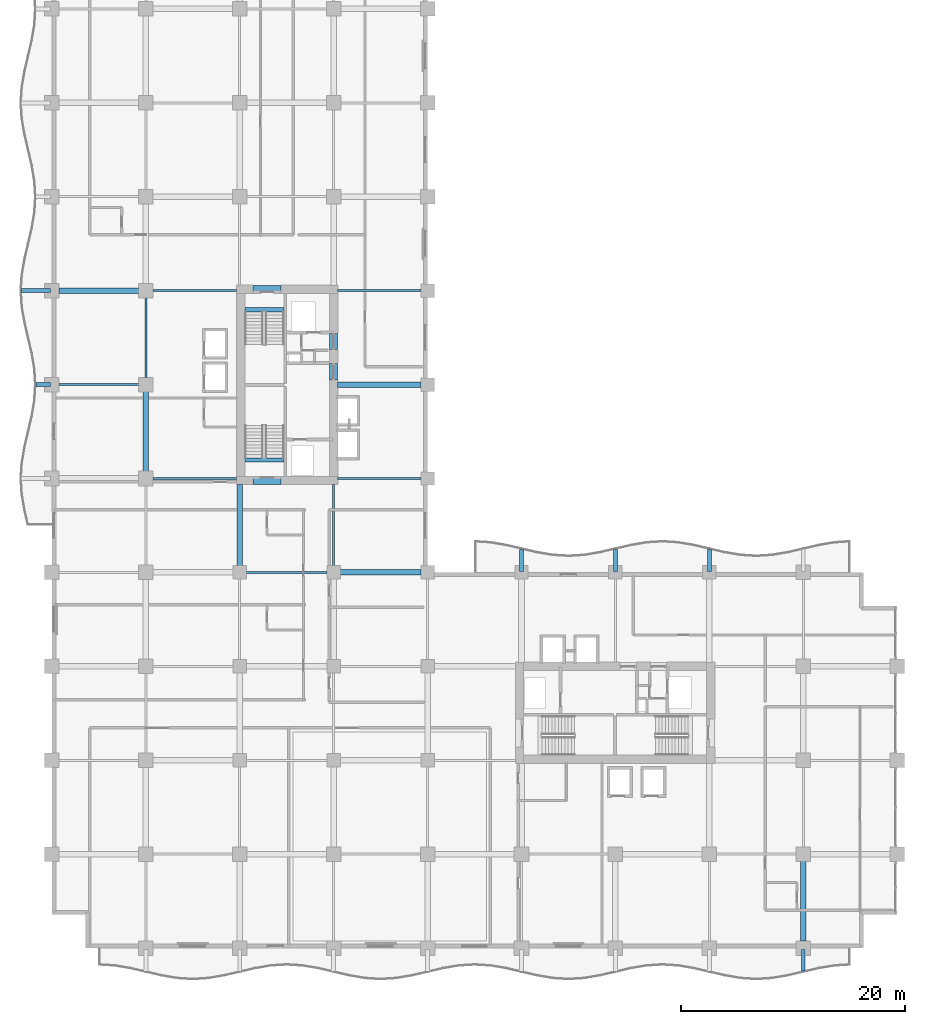
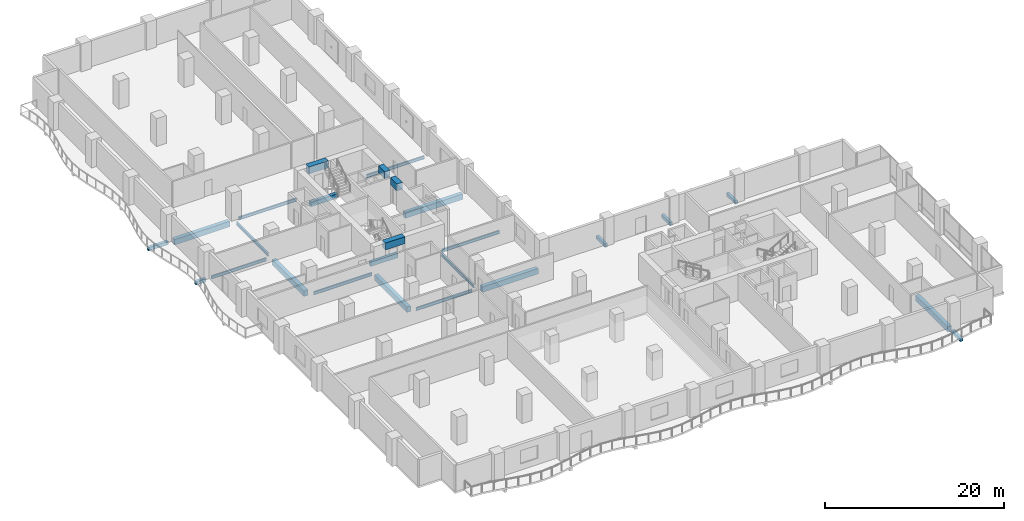
# One storey, part 2 of 23: 26 beams.
"""IFC4 building model written with IfcOpenShell, lengths in metres."""

from ifc_helpers import new_model, si_unit, direction, frame, origin, origin_2d, place, context, subcontext, project, spatial, rectangle, i_section, extrude, material, material_profile, profile_set, type_object, element, save


model = new_model("IFC4")

# Units and contexts
model_context = context("Model", 3, precision=1e-05, world=origin(), true_north=direction((0.0, 1.0)))
body_context = subcontext(model_context, "Body", "Model", "MODEL_VIEW")
ifc_project = project(units=[si_unit("LENGTHUNIT", "METRE"), si_unit("AREAUNIT", "SQUARE_METRE"), si_unit("VOLUMEUNIT", "CUBIC_METRE"), si_unit("PLANEANGLEUNIT", "RADIAN"), si_unit("MASSUNIT", "GRAM", prefix="KILO")], contexts=[model_context])

# Site, building, storey
site_placement = place(None, origin())
site = spatial("IfcSite", under=ifc_project, at=site_placement, CompositionType="ELEMENT")
building_placement = place(site_placement, origin())
building = spatial("IfcBuilding", under=site, at=building_placement, Name="Koriwani Terraces Tower", CompositionType="ELEMENT")
storey_placement = place(building_placement, frame((0.0, 0.0, 134.199951171875)))
storey = spatial("IfcBuildingStorey", under=building, at=storey_placement, Name="L32", CompositionType="ELEMENT", Elevation=134.199951171875)

# Beams
ifc_material_1 = material(Name="Concrete C40/50", Category="concrete")
ifc_material_profile_1 = material_profile(ifc_material_1, rectangle(XDim=0.35009765625, YDim=0.449951171875, at=origin_2d()), Name="Concrete C40/50", Category="LoadBearing")
ifc_profile_set_1 = profile_set([ifc_material_profile_1], Name="Concrete C40/50")
beam_type_1 = type_object("IfcBeamType", Name="BEAM_RC_BALCONY_RIB_350X450", PredefinedType="JOIST", material=ifc_profile_set_1)
beam_1_placement = place(storey_placement, frame((67.199951171875, -2.050048828125, -0.474853515625), z_axis=(0.0, 1.0, 0.0), x_axis=(-1.0, 0.0, 0.0)))
element("IfcBeam", 1, at=beam_1_placement, inside=storey, type_object=beam_type_1, Name="L32 Balcony Bracket Rib S-8", PredefinedType="JOIST", context=body_context, shape_type="SweptSolid", body=[
    extrude(rectangle(XDim=0.35009765625, YDim=0.449951171875, at=origin_2d()), origin(), (0.0, 0.0, 1.0), 1.949951171875),
])
beam_2_placement = place(storey_placement, frame((-1.39990234375, 50.39990234375, -0.474853515625), z_axis=(1.0, 0.0, 0.0), x_axis=(0.0, 1.0, 0.0)))
element("IfcBeam", 2, at=beam_2_placement, inside=storey, type_object=beam_type_1, Name="L32 Balcony Bracket Rib W-2", PredefinedType="JOIST", context=body_context, shape_type="SweptSolid", body=[
    extrude(rectangle(XDim=0.35009765625, YDim=0.449951171875, at=origin_2d()), origin(), (0.0, 0.0, 1.0), 1.2998046875),
])
beam_3_placement = place(storey_placement, frame((-2.699951171875, 58.800048828125, -0.474853515625), z_axis=(1.0, 0.0, 0.0), x_axis=(0.0, 1.0, 0.0)))
element("IfcBeam", 3, at=beam_3_placement, inside=storey, type_object=beam_type_1, Name="L32 Balcony Bracket Rib W-3", PredefinedType="JOIST", context=body_context, shape_type="SweptSolid", body=[
    extrude(rectangle(XDim=0.35009765625, YDim=0.449951171875, at=origin_2d()), origin(), (0.0, 0.0, 1.0), 2.599853515625),
])
for number, where, z_axis, x_axis, name in (
    (4, (42.0, 33.699951171875, -0.474853515625), (0.0, 1.0, 0.0), (-1.0, 0.0, 0.0), "L32 Balcony Bracket Rib NE-1"),
    (5, (50.39990234375, 33.699951171875, -0.474853515625), (0.0, 1.0, 0.0), (-1.0, 0.0, 0.0), "L32 Balcony Bracket Rib NE-2"),
    (6, (58.800048828125, 33.699951171875, -0.474853515625), (0.0, 1.0, 0.0), (-1.0, 0.0, 0.0), "L32 Balcony Bracket Rib NE-3"),
):
    element("IfcBeam", number, at=place(storey_placement, frame(where, z_axis=z_axis, x_axis=x_axis)), inside=storey, type_object=beam_type_1, Name=name, PredefinedType="JOIST", context=body_context, shape_type="SweptSolid", body=[
        extrude(rectangle(XDim=0.35009765625, YDim=0.449951171875, at=origin_2d()), origin(), (0.0, 0.0, 1.0), 1.949951171875),
    ])
ifc_material_2 = material(Name="Concrete C60/75", Category="concrete")
ifc_material_profile_2 = material_profile(ifc_material_2, rectangle(XDim=0.699951171875, YDim=0.949951171875, at=origin_2d()), Name="Concrete C60/75", Category="LoadBearing")
ifc_profile_set_2 = profile_set([ifc_material_profile_2], Name="Concrete C60/75")
beam_type_2 = type_object("IfcBeamType", Name="BEAM_RC_COUPLING_700X950", PredefinedType="LINTEL", material=ifc_profile_set_2)
beam_4_placement = place(storey_placement, frame((25.199951171875, 50.800048828125, 3.074951171875), z_axis=(0.0, 1.0, 0.0), x_axis=(-1.0, 0.0, 0.0)))
element("IfcBeam", 7, at=beam_4_placement, inside=storey, type_object=beam_type_2, Name="L32 Core Coupling Lintel Beam WE1", PredefinedType="LINTEL", context=body_context, shape_type="SweptSolid", body=[
    extrude(rectangle(XDim=0.699951171875, YDim=0.949951171875, at=origin_2d()), origin(), (0.0, 0.0, 1.0), 1.47998046875),
])
beam_5_placement = place(storey_placement, frame((25.199951171875, 53.550048828125, 3.074951171875), z_axis=(0.0, 1.0, 0.0), x_axis=(-1.0, 0.0, 0.0)))
element("IfcBeam", 8, at=beam_5_placement, inside=storey, type_object=beam_type_2, Name="L32 Core Coupling Lintel Beam WE2", PredefinedType="LINTEL", context=body_context, shape_type="SweptSolid", body=[
    extrude(rectangle(XDim=0.699951171875, YDim=0.949951171875, at=origin_2d()), origin(), (0.0, 0.0, 1.0), 1.39990234375),
])
for number, where, z_axis, x_axis, name in (
    (9, (18.0, 41.824951171875, 3.074951171875), (1.0, 0.0, 0.0), (0.0, 1.0, 0.0), "L32 Core Coupling Lintel Beam WS"),
    (10, (18.0, 58.925048828125, 3.074951171875), (1.0, 0.0, 0.0), (0.0, 1.0, 0.0), "L32 Core Coupling Lintel Beam WN"),
):
    element("IfcBeam", number, at=place(storey_placement, frame(where, z_axis=z_axis, x_axis=x_axis)), inside=storey, type_object=beam_type_2, Name=name, PredefinedType="LINTEL", context=body_context, shape_type="SweptSolid", body=[
        extrude(rectangle(XDim=0.699951171875, YDim=0.949951171875, at=origin_2d()), origin(), (0.0, 0.0, 1.0), 2.5),
    ])
ifc_material_profile_3 = material_profile(ifc_material_1, rectangle(XDim=0.39990234375, YDim=0.60009765625, at=origin_2d()), Name="Concrete C40/50", Category="LoadBearing")
ifc_profile_set_3 = profile_set([ifc_material_profile_3], Name="Concrete C40/50")
beam_type_3 = type_object("IfcBeamType", Name="BEAM_RC_GRID_400X600", PredefinedType="BEAM", material=ifc_profile_set_3)
for number, where, z_axis, x_axis, name in (
    (11, (17.25, 43.655029296875, -0.300048828125), (1.0, 0.0, 0.0), (0.0, 1.0, 0.0), "L32 Stairwell Header Trimmer Beam ST-W1"),
    (12, (17.25, 57.094970703125, -0.300048828125), (1.0, 0.0, 0.0), (0.0, 1.0, 0.0), "L32 Stairwell Header Trimmer Beam ST-W2"),
):
    element("IfcBeam", number, at=place(storey_placement, frame(where, z_axis=z_axis, x_axis=x_axis)), inside=storey, type_object=beam_type_3, Name=name, PredefinedType="BEAM", context=body_context, shape_type="SweptSolid", body=[
        extrude(rectangle(XDim=0.39990234375, YDim=0.60009765625, at=origin_2d()), origin(), (0.0, 0.0, 1.0), 3.5),
    ])
ifc_material_3 = material(Name="Concrete C50/60", Category="concrete")
ifc_material_profile_4 = material_profile(ifc_material_3, rectangle(XDim=0.5, YDim=0.75, at=origin_2d()), Name="Concrete C50/60", Category="LoadBearing")
ifc_profile_set_4 = profile_set([ifc_material_profile_4], Name="Concrete C50/60")
beam_type_4 = type_object("IfcBeamType", Name="BEAM_RC_GRID_500X750", PredefinedType="BEAM", material=ifc_profile_set_4)
beam_6_placement = place(storey_placement, frame((25.780029296875, 33.60009765625, -0.625), z_axis=(1.0, 0.0, 0.0), x_axis=(0.0, 1.0, 0.0)))
element("IfcBeam", 13, at=beam_6_placement, inside=storey, type_object=beam_type_4, Name="L32 Grid Beam E (25.2-33.6m)", PredefinedType="BEAM", context=body_context, shape_type="SweptSolid", body=[
    extrude(rectangle(XDim=0.5, YDim=0.75, at=origin_2d()), origin(), (0.0, 0.0, 1.0), 7.239990234375),
])
beam_7_placement = place(storey_placement, frame((25.554931640625, 50.39990234375, -0.625), z_axis=(1.0, 0.0, 0.0), x_axis=(0.0, 1.0, 0.0)))
element("IfcBeam", 14, at=beam_7_placement, inside=storey, type_object=beam_type_4, Name="L32 Grid Beam G (25.2-33.6m)", PredefinedType="BEAM", context=body_context, shape_type="SweptSolid", body=[
    extrude(rectangle(XDim=0.5, YDim=0.75, at=origin_2d()), origin(), (0.0, 0.0, 1.0), 7.465087890625),
])
for number, where, z_axis, x_axis, name in (
    (15, (0.6298828125, 58.800048828125, -0.625), (1.0, 0.0, 0.0), (0.0, 1.0, 0.0), "L32 Grid Beam H (0.0-8.4m)"),
    (16, (8.39990234375, 42.6298828125, -0.625), (0.0, 1.0, 0.0), (-1.0, 0.0, 0.0), "L32 Grid Beam 2 (42.0-50.4m)"),
):
    element("IfcBeam", number, at=place(storey_placement, frame(where, z_axis=z_axis, x_axis=x_axis)), inside=storey, type_object=beam_type_4, Name=name, PredefinedType="BEAM", context=body_context, shape_type="SweptSolid", body=[
        extrude(rectangle(XDim=0.5, YDim=0.75, at=origin_2d()), origin(), (0.0, 0.0, 1.0), 7.14013671875),
    ])
beam_8_placement = place(storey_placement, frame((16.800048828125, 34.179931640625, -0.625), z_axis=(0.0, 1.0, 0.0), x_axis=(-1.0, 0.0, 0.0)))
element("IfcBeam", 17, at=beam_8_placement, inside=storey, type_object=beam_type_4, Name="L32 Grid Beam 3 (33.6-42.0m)", PredefinedType="BEAM", context=body_context, shape_type="SweptSolid", body=[
    extrude(rectangle(XDim=0.5, YDim=0.75, at=origin_2d()), origin(), (0.0, 0.0, 1.0), 7.2900390625),
])
beam_9_placement = place(storey_placement, frame((67.199951171875, 0.6298828125, -0.625), z_axis=(0.0, 1.0, 0.0), x_axis=(-1.0, 0.0, 0.0)))
element("IfcBeam", 18, at=beam_9_placement, inside=storey, type_object=beam_type_4, Name="L32 Grid Beam 9 (0.0-8.4m)", PredefinedType="BEAM", context=body_context, shape_type="SweptSolid", body=[
    extrude(rectangle(XDim=0.5, YDim=0.75, at=origin_2d()), origin(), (0.0, 0.0, 1.0), 7.14013671875),
])
ifc_material_4 = material(Name="Steel ASTM A572 Grade 50", Category="steel")
ifc_material_profile_5 = material_profile(ifc_material_4, i_section(OverallWidth=0.180908203125, OverallDepth=0.4169921875, WebThickness=0.010986328125, FlangeThickness=0.018310546875, at=origin_2d()), Name="Steel ASTM A572 Grade 50", Category="LoadBearing")
ifc_profile_set_5 = profile_set([ifc_material_profile_5], Name="Steel ASTM A572 Grade 50")
beam_type_5 = type_object("IfcBeamType", Name="STEEL_BEAM_W410X85", PredefinedType="JOIST", material=ifc_profile_set_5)
beam_10_placement = place(storey_placement, frame((17.3798828125, 33.60009765625, -0.45849609375), z_axis=(1.0, 0.0, 0.0), x_axis=(0.0, 1.0, 0.0)))
element("IfcBeam", 19, at=beam_10_placement, inside=storey, type_object=beam_type_5, Name="L32 Grid Beam E (16.8-25.2m)", PredefinedType="JOIST", context=body_context, shape_type="SweptSolid", body=[
    extrude(i_section(OverallWidth=0.180908203125, OverallDepth=0.4169921875, WebThickness=0.010986328125, FlangeThickness=0.018310546875, at=origin_2d()), origin(), (0.0, 0.0, 1.0), 7.240234375),
])
beam_11_placement = place(storey_placement, frame((9.030029296875, 42.0, -0.45849609375), z_axis=(1.0, 0.0, 0.0), x_axis=(0.0, 1.0, 0.0)))
element("IfcBeam", 20, at=beam_11_placement, inside=storey, type_object=beam_type_5, Name="L32 Grid Beam F (8.4-16.8m)", PredefinedType="JOIST", context=body_context, shape_type="SweptSolid", body=[
    extrude(i_section(OverallWidth=0.180908203125, OverallDepth=0.4169921875, WebThickness=0.010986328125, FlangeThickness=0.018310546875, at=origin_2d()), origin(), (0.0, 0.0, 1.0), 7.489990234375),
])
beam_12_placement = place(storey_placement, frame((25.554931640625, 42.0, -0.45849609375), z_axis=(1.0, 0.0, 0.0), x_axis=(0.0, 1.0, 0.0)))
element("IfcBeam", 21, at=beam_12_placement, inside=storey, type_object=beam_type_5, Name="L32 Grid Beam F (25.2-33.6m)", PredefinedType="JOIST", context=body_context, shape_type="SweptSolid", body=[
    extrude(i_section(OverallWidth=0.180908203125, OverallDepth=0.4169921875, WebThickness=0.010986328125, FlangeThickness=0.018310546875, at=origin_2d()), origin(), (0.0, 0.0, 1.0), 7.465087890625),
])
beam_13_placement = place(storey_placement, frame((0.6298828125, 50.39990234375, -0.45849609375), z_axis=(1.0, 0.0, 0.0), x_axis=(0.0, 1.0, 0.0)))
element("IfcBeam", 22, at=beam_13_placement, inside=storey, type_object=beam_type_5, Name="L32 Grid Beam G (0.0-8.4m)", PredefinedType="JOIST", context=body_context, shape_type="SweptSolid", body=[
    extrude(i_section(OverallWidth=0.180908203125, OverallDepth=0.4169921875, WebThickness=0.010986328125, FlangeThickness=0.018310546875, at=origin_2d()), origin(), (0.0, 0.0, 1.0), 7.14013671875),
])
beam_14_placement = place(storey_placement, frame((9.030029296875, 58.800048828125, -0.45849609375), z_axis=(1.0, 0.0, 0.0), x_axis=(0.0, 1.0, 0.0)))
element("IfcBeam", 23, at=beam_14_placement, inside=storey, type_object=beam_type_5, Name="L32 Grid Beam H (8.4-16.8m)", PredefinedType="JOIST", context=body_context, shape_type="SweptSolid", body=[
    extrude(i_section(OverallWidth=0.180908203125, OverallDepth=0.4169921875, WebThickness=0.010986328125, FlangeThickness=0.018310546875, at=origin_2d()), origin(), (0.0, 0.0, 1.0), 7.489990234375),
])
beam_15_placement = place(storey_placement, frame((25.554931640625, 58.800048828125, -0.45849609375), z_axis=(1.0, 0.0, 0.0), x_axis=(0.0, 1.0, 0.0)))
element("IfcBeam", 24, at=beam_15_placement, inside=storey, type_object=beam_type_5, Name="L32 Grid Beam H (25.2-33.6m)", PredefinedType="JOIST", context=body_context, shape_type="SweptSolid", body=[
    extrude(i_section(OverallWidth=0.180908203125, OverallDepth=0.4169921875, WebThickness=0.010986328125, FlangeThickness=0.018310546875, at=origin_2d()), origin(), (0.0, 0.0, 1.0), 7.465087890625),
])
beam_16_placement = place(storey_placement, frame((8.39990234375, 51.030029296875, -0.45849609375), z_axis=(0.0, 1.0, 0.0), x_axis=(-1.0, 0.0, 0.0)))
element("IfcBeam", 25, at=beam_16_placement, inside=storey, type_object=beam_type_5, Name="L32 Grid Beam 2 (50.4-58.8m)", PredefinedType="JOIST", context=body_context, shape_type="SweptSolid", body=[
    extrude(i_section(OverallWidth=0.180908203125, OverallDepth=0.4169921875, WebThickness=0.010986328125, FlangeThickness=0.018310546875, at=origin_2d()), origin(), (0.0, 0.0, 1.0), 7.139892578125),
])
beam_17_placement = place(storey_placement, frame((25.199951171875, 34.179931640625, -0.45849609375), z_axis=(0.0, 1.0, 0.0), x_axis=(-1.0, 0.0, 0.0)))
element("IfcBeam", 26, at=beam_17_placement, inside=storey, type_object=beam_type_5, Name="L32 Grid Beam 4 (33.6-42.0m)", PredefinedType="JOIST", context=body_context, shape_type="SweptSolid", body=[
    extrude(i_section(OverallWidth=0.180908203125, OverallDepth=0.4169921875, WebThickness=0.010986328125, FlangeThickness=0.018310546875, at=origin_2d()), origin(), (0.0, 0.0, 1.0), 7.2900390625),
])

save(model, "model.ifc")
